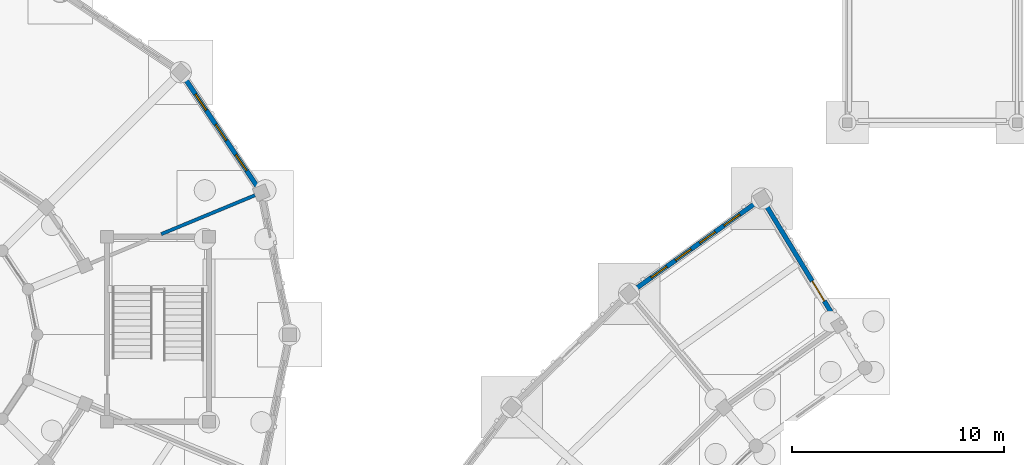
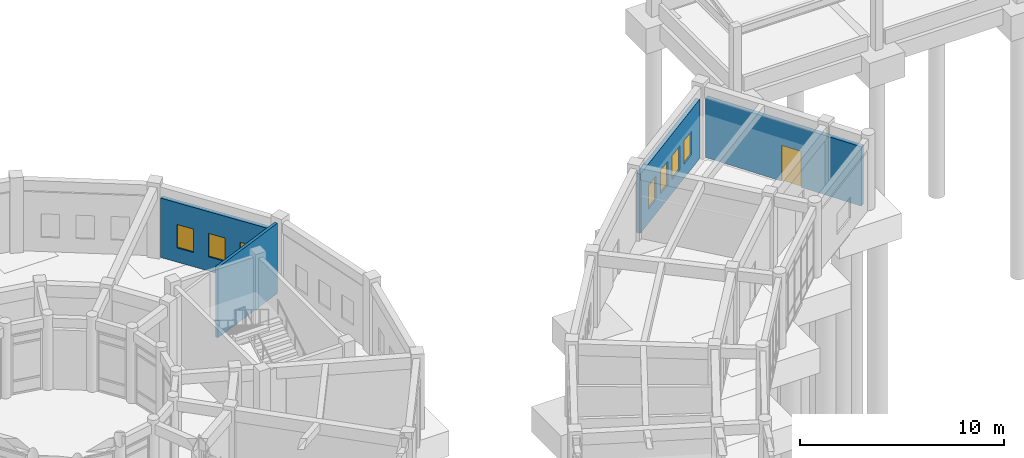
# One storey, part 130 of 153: 7 windows, 4 walls, 1 door, 8 openings.
"""IFC4 building model written with IfcOpenShell, lengths in metres."""

from ifc_helpers import new_model, si_unit, direction, frame, frame_2d, origin, place, context, subcontext, project, spatial, rectangle, extrude, material, layer, layer_set, type_object, element, fill, save


model = new_model("IFC4")

# Units and contexts
model_context = context("Model", 3, precision=1e-05, world=origin(), true_north=direction((0.0, 1.0)))
body_context = subcontext(model_context, "Body", "Model", "MODEL_VIEW")
ifc_project = project(units=[si_unit("LENGTHUNIT", "METRE"), si_unit("AREAUNIT", "SQUARE_METRE"), si_unit("VOLUMEUNIT", "CUBIC_METRE"), si_unit("PLANEANGLEUNIT", "RADIAN"), si_unit("MASSUNIT", "GRAM", prefix="KILO")], contexts=[model_context])

# Site, building, storey
site_placement = place(None, origin())
site = spatial("IfcSite", under=ifc_project, at=site_placement, CompositionType="ELEMENT")
building_placement = place(site_placement, origin())
building = spatial("IfcBuilding", under=site, at=building_placement, Name="Celadon Cloister-Ring School", CompositionType="ELEMENT")
storey_placement = place(building_placement, origin())
storey = spatial("IfcBuildingStorey", under=building, at=storey_placement, Name="L00", CompositionType="ELEMENT", Elevation=0.0)

# Wall, openings, windows
ifc_material_1 = material(Name="Perforated terracotta clay brick masonry", Category="masonry")
ifc_layer_1 = layer(ifc_material_1, 0.219970703125)
ifc_layer_set_1 = layer_set([ifc_layer_1], Name="Perforated terracotta clay brick masonry")
wall_type_1 = type_object("IfcWallType", Name="WT-EX4", PredefinedType="SOLIDWALL", material=ifc_layer_set_1)
wall_1_placement = place(storey_placement, frame((53.97607421875, 99.135986328125, 0.0), z_axis=(0.0, 0.0, 1.0), x_axis=(0.81337207515, 0.581743815924, 0.0)))
wall_1 = element("IfcWall", 1, at=wall_1_placement, inside=storey, type_object=wall_type_1, Name="Exterior Wall 0001", PredefinedType="SOLIDWALL", context=body_context, shape_type="SweptSolid", body=[
    extrude(rectangle(XDim=7.032470703125, YDim=0.219970703125, at=frame_2d((3.51611328125, 0.0))), origin(), (0.0, 0.0, 1.0), 3.550048828125),
])
opening_1_placement = place(wall_1_placement, frame((0.9560546875, 0.0, 0.85009765625)))
opening_1 = element("IfcOpeningElement", 2, at=opening_1_placement, cuts=wall_1, Name="Opening WN-21", PredefinedType="OPENING", context=body_context, shape_type="SweptSolid", body=[
    extrude(rectangle(XDim=0.89990234375, YDim=1.39990234375, at=frame_2d((0.449951171875, 0.699951171875))), frame((0.0, 0.1201171875, 0.0), z_axis=(0.0, -1.0, 0.0), x_axis=(1.0, 0.0, 0.0)), (0.0, 0.0, 1.0), 0.239990234375),
])
opening_2_placement = place(wall_1_placement, frame((2.363037109375, 0.0, 0.85009765625)))
opening_2 = element("IfcOpeningElement", 3, at=opening_2_placement, cuts=wall_1, Name="Opening WN-21", PredefinedType="OPENING", context=body_context, shape_type="SweptSolid", body=[
    extrude(rectangle(XDim=0.89990234375, YDim=1.39990234375, at=frame_2d((0.449951171875, 0.699951171875))), frame((0.0, 0.1201171875, 0.0), z_axis=(0.0, -1.0, 0.0), x_axis=(1.0, 0.0, 0.0)), (0.0, 0.0, 1.0), 0.239990234375),
])
opening_3_placement = place(wall_1_placement, frame((3.76904296875, 0.0, 0.85009765625)))
opening_3 = element("IfcOpeningElement", 4, at=opening_3_placement, cuts=wall_1, Name="Opening WN-21", PredefinedType="OPENING", context=body_context, shape_type="SweptSolid", body=[
    extrude(rectangle(XDim=0.89990234375, YDim=1.39990234375, at=frame_2d((0.449951171875, 0.699951171875))), frame((0.0, 0.1201171875, 0.0), z_axis=(0.0, -1.0, 0.0), x_axis=(1.0, 0.0, 0.0)), (0.0, 0.0, 1.0), 0.239990234375),
])
opening_4_placement = place(wall_1_placement, frame((5.176025390625, 0.0, 0.85009765625)))
opening_4 = element("IfcOpeningElement", 5, at=opening_4_placement, cuts=wall_1, Name="Opening WN-21", PredefinedType="OPENING", context=body_context, shape_type="SweptSolid", body=[
    extrude(rectangle(XDim=0.89990234375, YDim=1.39990234375, at=frame_2d((0.449951171875, 0.699951171875))), frame((0.0, 0.1201171875, 0.0), z_axis=(0.0, -1.0, 0.0), x_axis=(1.0, 0.0, 0.0)), (0.0, 0.0, 1.0), 0.239990234375),
])
ifc_material_2 = material(Name="Tempered laminated insulating glass", Category="glass")
window_type = type_object("IfcWindowType", Name="WN-21", PartitioningType="SINGLE_PANEL", PredefinedType="WINDOW", material=ifc_material_2)
window_1_placement = place(opening_1_placement, origin())
window_1 = element("IfcWindow", 6, at=window_1_placement, inside=storey, type_object=window_type, Name="Window 0001", OverallHeight=1.39990234375, OverallWidth=0.89990234375, PartitioningType="SINGLE_PANEL", PredefinedType="WINDOW", context=body_context, shape_type="SweptSolid", body=[
    extrude(rectangle(XDim=0.89990234375, YDim=1.39990234375, at=frame_2d((0.449951171875, 0.699951171875))), frame((0.0, 0.030029296875, 0.0), z_axis=(0.0, -1.0, 0.0), x_axis=(1.0, 0.0, 0.0)), (0.0, 0.0, 1.0), 0.06005859375),
])
fill(opening_1, window_1)
window_2_placement = place(opening_2_placement, origin())
window_2 = element("IfcWindow", 7, at=window_2_placement, inside=storey, type_object=window_type, Name="Window 0002", OverallHeight=1.39990234375, OverallWidth=0.89990234375, PartitioningType="SINGLE_PANEL", PredefinedType="WINDOW", context=body_context, shape_type="SweptSolid", body=[
    extrude(rectangle(XDim=0.89990234375, YDim=1.39990234375, at=frame_2d((0.449951171875, 0.699951171875))), frame((0.0, 0.030029296875, 0.0), z_axis=(0.0, -1.0, 0.0), x_axis=(1.0, 0.0, 0.0)), (0.0, 0.0, 1.0), 0.06005859375),
])
fill(opening_2, window_2)
window_3_placement = place(opening_3_placement, origin())
window_3 = element("IfcWindow", 8, at=window_3_placement, inside=storey, type_object=window_type, Name="Window 0003", OverallHeight=1.39990234375, OverallWidth=0.89990234375, PartitioningType="SINGLE_PANEL", PredefinedType="WINDOW", context=body_context, shape_type="SweptSolid", body=[
    extrude(rectangle(XDim=0.89990234375, YDim=1.39990234375, at=frame_2d((0.449951171875, 0.699951171875))), frame((0.0, 0.030029296875, 0.0), z_axis=(0.0, -1.0, 0.0), x_axis=(1.0, 0.0, 0.0)), (0.0, 0.0, 1.0), 0.06005859375),
])
fill(opening_3, window_3)
window_4_placement = place(opening_4_placement, origin())
window_4 = element("IfcWindow", 9, at=window_4_placement, inside=storey, type_object=window_type, Name="Window 0004", OverallHeight=1.39990234375, OverallWidth=0.89990234375, PartitioningType="SINGLE_PANEL", PredefinedType="WINDOW", context=body_context, shape_type="SweptSolid", body=[
    extrude(rectangle(XDim=0.89990234375, YDim=1.39990234375, at=frame_2d((0.449951171875, 0.699951171875))), frame((0.0, 0.030029296875, 0.0), z_axis=(0.0, -1.0, 0.0), x_axis=(1.0, 0.0, 0.0)), (0.0, 0.0, 1.0), 0.06005859375),
])
fill(opening_4, window_4)

# Wall, opening, door
wall_2_placement = place(storey_placement, frame((60.138916015625, 103.14306640625, 0.0), z_axis=(0.0, 0.0, 1.0), x_axis=(0.519865008616, -0.854248425703, 0.0)))
wall_2 = element("IfcWall", 10, at=wall_2_placement, inside=storey, type_object=wall_type_1, Name="Exterior Wall 0051", PredefinedType="SOLIDWALL", context=body_context, shape_type="SweptSolid", body=[
    extrude(rectangle(XDim=8.696533203125, YDim=0.219970703125, at=frame_2d((4.34814453125, 0.0))), origin(), (0.0, 0.0, 1.0), 3.550048828125),
])
opening_5_placement = place(wall_2_placement, frame((4.23291015625, 0.0, 0.0)))
opening_5 = element("IfcOpeningElement", 11, at=opening_5_placement, cuts=wall_2, Name="Opening D-0009", PredefinedType="OPENING", context=body_context, shape_type="SweptSolid", body=[
    extrude(rectangle(XDim=1.10009765625, YDim=2.14990234375, at=frame_2d((0.550048828125, 1.074951171875))), frame((0.0, 0.1201171875, 0.0), z_axis=(0.0, -1.0, 0.0), x_axis=(1.0, 0.0, 0.0)), (0.0, 0.0, 1.0), 0.239990234375),
])
ifc_material_3 = material(Name="Aluminium EN AW-6063 T6", Category="aluminium")
door_type = type_object("IfcDoorType", Name="DE-02", OperationType="NOTDEFINED", PredefinedType="DOOR", material=ifc_material_3)
door_placement = place(opening_5_placement, origin())
door = element("IfcDoor", 12, at=door_placement, inside=storey, type_object=door_type, Name="Exterior Door D-0009", OperationType="SINGLE_SWING_LEFT", OverallHeight=2.14990234375, OverallWidth=1.10009765625, PredefinedType="DOOR", context=body_context, shape_type="SweptSolid", body=[
    extrude(rectangle(XDim=1.10009765625, YDim=2.14990234375, at=frame_2d((0.550048828125, 1.074951171875))), frame((0.0, 0.02490234375, 0.0), z_axis=(0.0, -1.0, 0.0), x_axis=(1.0, 0.0, 0.0)), (0.0, 0.0, 1.0), 0.050048828125),
])
fill(opening_5, door)

# Wall, openings, windows
wall_3_placement = place(storey_placement, frame((32.77099609375, 109.0791015625, 0.0), z_axis=(0.0, 0.0, 1.0), x_axis=(0.555657446161, -0.831411331728, 0.0)))
wall_3 = element("IfcWall", 13, at=wall_3_placement, inside=storey, type_object=wall_type_1, Name="Exterior Wall 0212", PredefinedType="SOLIDWALL", context=body_context, shape_type="SweptSolid", body=[
    extrude(rectangle(XDim=6.11865234375, YDim=0.219970703125, at=frame_2d((3.059326171875, 0.0))), origin(), (0.0, 0.0, 1.0), 3.550048828125),
])
opening_6_placement = place(wall_3_placement, frame((0.89599609375, 0.0, 0.85009765625)))
opening_6 = element("IfcOpeningElement", 14, at=opening_6_placement, cuts=wall_3, Name="Opening WN-21", PredefinedType="OPENING", context=body_context, shape_type="SweptSolid", body=[
    extrude(rectangle(XDim=0.89990234375, YDim=1.39990234375, at=frame_2d((0.449951171875, 0.699951171875))), frame((0.0, 0.1201171875, 0.0), z_axis=(0.0, -1.0, 0.0), x_axis=(1.0, 0.0, 0.0)), (0.0, 0.0, 1.0), 0.239990234375),
])
opening_7_placement = place(wall_3_placement, frame((2.60888671875, 0.0, 0.85009765625)))
opening_7 = element("IfcOpeningElement", 15, at=opening_7_placement, cuts=wall_3, Name="Opening WN-21", PredefinedType="OPENING", context=body_context, shape_type="SweptSolid", body=[
    extrude(rectangle(XDim=0.89990234375, YDim=1.39990234375, at=frame_2d((0.449951171875, 0.699951171875))), frame((0.0, 0.1201171875, 0.0), z_axis=(0.0, -1.0, 0.0), x_axis=(1.0, 0.0, 0.0)), (0.0, 0.0, 1.0), 0.239990234375),
])
opening_8_placement = place(wall_3_placement, frame((4.322998046875, 0.0, 0.85009765625)))
opening_8 = element("IfcOpeningElement", 16, at=opening_8_placement, cuts=wall_3, Name="Opening WN-21", PredefinedType="OPENING", context=body_context, shape_type="SweptSolid", body=[
    extrude(rectangle(XDim=0.89990234375, YDim=1.39990234375, at=frame_2d((0.449951171875, 0.699951171875))), frame((0.0, 0.1201171875, 0.0), z_axis=(0.0, -1.0, 0.0), x_axis=(1.0, 0.0, 0.0)), (0.0, 0.0, 1.0), 0.239990234375),
])
window_5_placement = place(opening_6_placement, origin())
window_5 = element("IfcWindow", 17, at=window_5_placement, inside=storey, type_object=window_type, Name="Window 0581", OverallHeight=1.39990234375, OverallWidth=0.89990234375, PartitioningType="SINGLE_PANEL", PredefinedType="WINDOW", context=body_context, shape_type="SweptSolid", body=[
    extrude(rectangle(XDim=0.89990234375, YDim=1.39990234375, at=frame_2d((0.449951171875, 0.699951171875))), frame((0.0, 0.030029296875, 0.0), z_axis=(0.0, -1.0, 0.0), x_axis=(1.0, 0.0, 0.0)), (0.0, 0.0, 1.0), 0.06005859375),
])
fill(opening_6, window_5)
window_6_placement = place(opening_7_placement, origin())
window_6 = element("IfcWindow", 18, at=window_6_placement, inside=storey, type_object=window_type, Name="Window 0582", OverallHeight=1.39990234375, OverallWidth=0.89990234375, PartitioningType="SINGLE_PANEL", PredefinedType="WINDOW", context=body_context, shape_type="SweptSolid", body=[
    extrude(rectangle(XDim=0.89990234375, YDim=1.39990234375, at=frame_2d((0.449951171875, 0.699951171875))), frame((0.0, 0.030029296875, 0.0), z_axis=(0.0, -1.0, 0.0), x_axis=(1.0, 0.0, 0.0)), (0.0, 0.0, 1.0), 0.06005859375),
])
fill(opening_7, window_6)
window_7_placement = place(opening_8_placement, origin())
window_7 = element("IfcWindow", 19, at=window_7_placement, inside=storey, type_object=window_type, Name="Window 0583", OverallHeight=1.39990234375, OverallWidth=0.89990234375, PartitioningType="SINGLE_PANEL", PredefinedType="WINDOW", context=body_context, shape_type="SweptSolid", body=[
    extrude(rectangle(XDim=0.89990234375, YDim=1.39990234375, at=frame_2d((0.449951171875, 0.699951171875))), frame((0.0, 0.030029296875, 0.0), z_axis=(0.0, -1.0, 0.0), x_axis=(1.0, 0.0, 0.0)), (0.0, 0.0, 1.0), 0.06005859375),
])
fill(opening_8, window_7)

# Wall
ifc_material_4 = material(Name="Plastered hollow concrete masonry", Category="masonry")
ifc_layer_2 = layer(ifc_material_4, 0.159912109375)
ifc_layer_set_2 = layer_set([ifc_layer_2], Name="Plastered hollow concrete masonry")
wall_type_2 = type_object("IfcWallType", Name="WT-PT3", PredefinedType="PARTITIONING", material=ifc_layer_set_2)
wall_4_placement = place(storey_placement, frame((31.65087890625, 101.742919921875, 0.0), z_axis=(0.0, 0.0, 1.0), x_axis=(0.923842829076, 0.38277203028, 0.0)))
element("IfcWall", 20, at=wall_4_placement, inside=storey, type_object=wall_type_2, Name="Interior Wall 0640", PredefinedType="PARTITIONING", context=body_context, shape_type="SweptSolid", body=[
    extrude(rectangle(XDim=4.788818359375, YDim=0.159912109375, at=frame_2d((2.39453125, 0.0))), origin(), (0.0, 0.0, 1.0), 4.199951171875),
])

save(model, "model.ifc")
